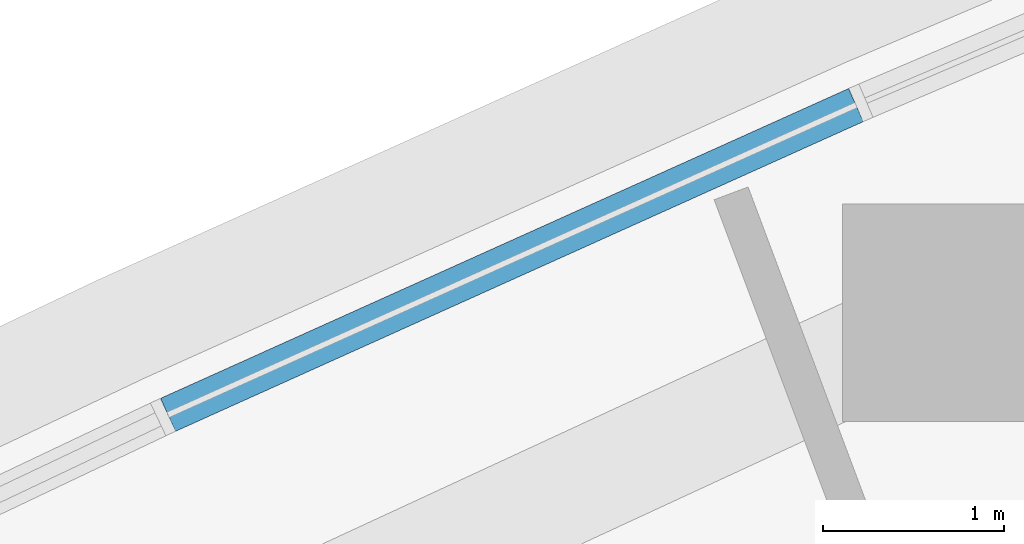
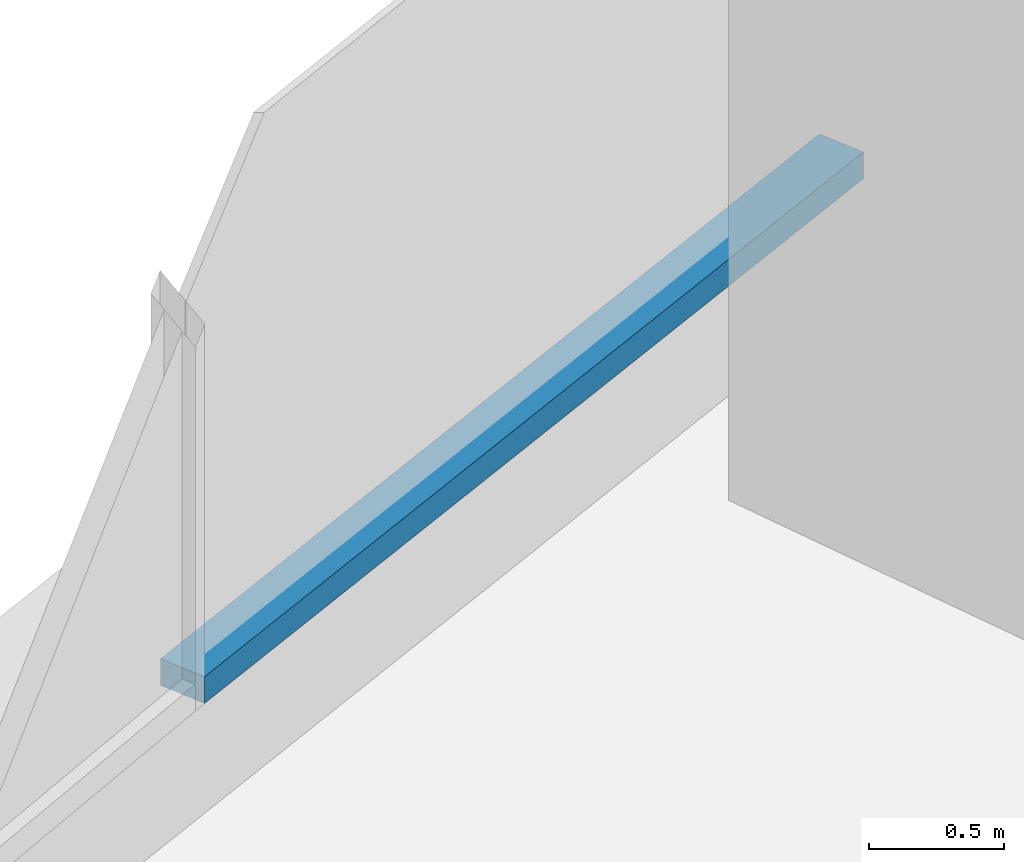
# One storey, part 3 of 16: 1 member, 1 element without a shape of its own.
"""IFC4 building model written with IfcOpenShell, lengths in metres."""

from ifc_helpers import new_model, si_unit, direction, frame, origin, origin_2d, place, context, subcontext, project, spatial, rectangle, extrude, material, layer, layer_set, material_profile, profile_set, type_object, element, aggregate, save


model = new_model("IFC4")

# Units and contexts
model_context = context("Model", 3, precision=1e-05, world=origin(), true_north=direction((0.0, 1.0)))
body_context = subcontext(model_context, "Body", "Model", "MODEL_VIEW")
ifc_project = project(units=[si_unit("LENGTHUNIT", "METRE"), si_unit("AREAUNIT", "SQUARE_METRE"), si_unit("VOLUMEUNIT", "CUBIC_METRE"), si_unit("PLANEANGLEUNIT", "RADIAN"), si_unit("MASSUNIT", "GRAM", prefix="KILO")], contexts=[model_context])

# Site, building, storey
site_placement = place(None, origin())
site = spatial("IfcSite", under=ifc_project, at=site_placement, CompositionType="ELEMENT")
building_placement = place(site_placement, origin())
building = spatial("IfcBuilding", under=site, at=building_placement, Name="Ostrand Prow Hotel Tower", CompositionType="ELEMENT")
storey_placement = place(building_placement, frame((0.0, 0.0, 220.800048828125)))
storey = spatial("IfcBuildingStorey", under=building, at=storey_placement, Name="L55", CompositionType="ELEMENT", Elevation=220.800048828125)

# Curtain wall, member
ifc_material_1 = material(Name="Insulated glass in bronze anodised frame", Category="glass")
ifc_layer = layer(ifc_material_1, 0.199951171875)
ifc_layer_set = layer_set([ifc_layer], Name="Insulated glass in bronze anodised frame")
curtain_wall_type = type_object("IfcCurtainWallType", Name="Strip curtain wall, fritted glass over bronze spandrel", PredefinedType="NOTDEFINED", material=ifc_layer_set)
curtain_wall_placement = place(storey_placement, origin())
curtain_wall = element("IfcCurtainWall", 1, at=curtain_wall_placement, inside=storey, type_object=curtain_wall_type, Name="CW1 run CWN5", PredefinedType="NOTDEFINED")
ifc_material_2 = material(Name="Bronze anodised aluminium", Category="aluminium")
ifc_material_profile = material_profile(ifc_material_2, rectangle(XDim=0.199951171875, YDim=0.1201171875, at=origin_2d()), Name="Transom 120x200 bronze anodised aluminium")
ifc_profile_set = profile_set([ifc_material_profile], Name="Bronze anodised aluminium")
member_type = type_object("IfcMemberType", Name="Transom 120x200 bronze anodised aluminium", PredefinedType="USERDEFINED", material=ifc_profile_set)
member_placement = place(storey_placement, frame((20.53271484375, 10.10400390625, 0.9599609375), z_axis=(-0.911832617051, -0.410562149353, 0.0), x_axis=(0.410562149353, -0.911832617051, 0.0)))
member = element("IfcMember", 2, at=member_placement, type_object=member_type, Name="CW1 transom 1.1", ObjectType="TRANSOM", PredefinedType="USERDEFINED", context=body_context, shape_type="SweptSolid", body=[
    extrude(rectangle(XDim=0.199951171875, YDim=0.1201171875, at=origin_2d()), origin(), (0.0, 0.0, 1.0), 4.163818359375),
])
aggregate(curtain_wall, [member])

save(model, "model.ifc")
